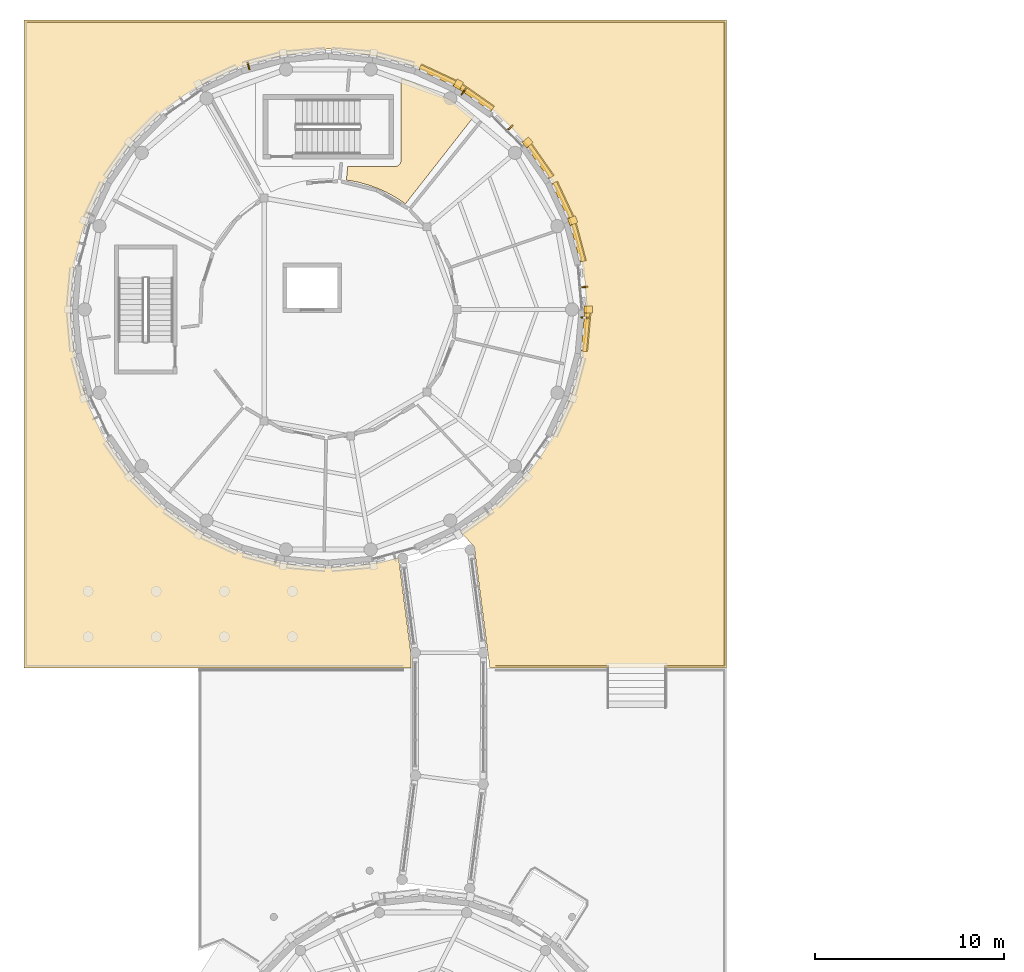
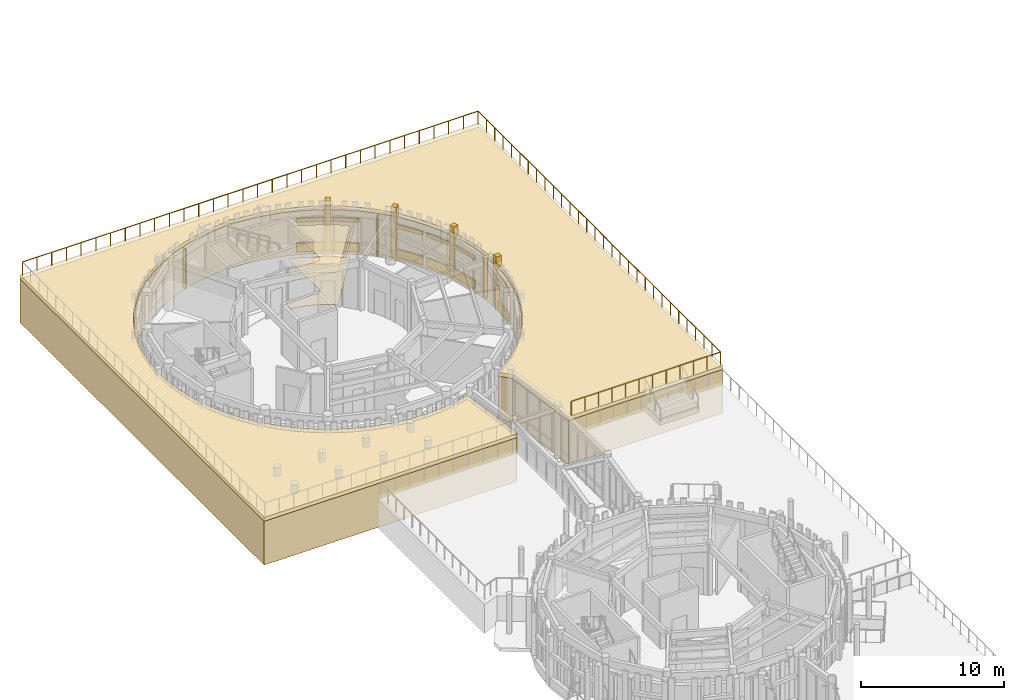
# One storey, part 85 of 94: 20 coverings, 5 shading devices, 1 railing.
"""IFC4 building model written with IfcOpenShell, lengths in metres."""

from ifc_helpers import new_model, si_unit, direction, frame, origin, origin_2d, place, context, subcontext, project, spatial, polyline, rectangle, circle, outline, extrude, material, layer, layer_set, type_object, element, save


model = new_model("IFC4")

# Units and contexts
model_context = context("Model", 3, precision=1e-05, world=origin(), true_north=direction((0.0, 1.0)))
body_context = subcontext(model_context, "Body", "Model", "MODEL_VIEW")
ifc_project = project(units=[si_unit("LENGTHUNIT", "METRE"), si_unit("AREAUNIT", "SQUARE_METRE"), si_unit("VOLUMEUNIT", "CUBIC_METRE"), si_unit("PLANEANGLEUNIT", "RADIAN"), si_unit("MASSUNIT", "GRAM", prefix="KILO")], contexts=[model_context])

# Site, building, storey
site_placement = place(None, origin())
site = spatial("IfcSite", under=ifc_project, at=site_placement, CompositionType="ELEMENT")
building_placement = place(site_placement, origin())
building = spatial("IfcBuilding", under=site, at=building_placement, Name="Aldenvaro Health Centre", CompositionType="ELEMENT")
storey_placement = place(building_placement, origin())
storey = spatial("IfcBuildingStorey", under=building, at=storey_placement, Name="L00", CompositionType="ELEMENT", Elevation=0.0)

# Coverings
ifc_material_1 = material(Name="Antimicrobial Mineral Fibre Ceiling")
ifc_layer_1 = layer(ifc_material_1, 0.01806640625, Name="Antimicrobial Mineral Fibre Ceiling")
ifc_layer_set_1 = layer_set([ifc_layer_1], Name="Antimicrobial Mineral Fibre Ceiling")
covering_type_1 = type_object("IfcCoveringType", Name="COV-CLG-ACT18", PredefinedType="CEILING", material=ifc_layer_set_1)
covering_1_placement = place(storey_placement, frame((0.0, 0.0, 2.75)))
element("IfcCovering", 1, at=covering_1_placement, inside=storey, type_object=covering_type_1, Name="D4-L00-R01 Suspended Ceiling", PredefinedType="CEILING", context=body_context, shape_type="SweptSolid", body=[
    extrude(outline(polyline([(22.3779296875, 105.218994140625), (22.364013671875, 105.22802734375), (21.967041015625, 105.47705078125), (21.952880859375, 105.485107421875), (21.5390625, 105.7060546875), (21.52392578125, 105.712890625), (21.095947265625, 105.904052734375), (21.0810546875, 105.909912109375), (20.639892578125, 106.070068359375), (20.6240234375, 106.074951171875), (20.174072265625, 106.2041015625), (20.157958984375, 106.2080078125), (19.698974609375, 106.304931640625), (19.68310546875, 106.30810546875), (19.447998046875, 106.340087890625), (19.52294921875, 107.06005859375), (22.02001953125, 107.06005859375), (22.031982421875, 107.06005859375), (22.0400390625, 107.06103515625), (22.06298828125, 107.06298828125), (22.071044921875, 107.06396484375), (22.093994140625, 107.069091796875), (22.10205078125, 107.071044921875), (22.1240234375, 107.076904296875), (22.131103515625, 107.080078125), (22.153076171875, 107.089111328125), (22.159912109375, 107.092041015625), (22.180908203125, 107.10400390625), (22.18798828125, 107.10791015625), (22.20703125, 107.12109375), (22.214111328125, 107.125), (22.23193359375, 107.139892578125), (22.238037109375, 107.14599609375), (22.25390625, 107.162109375), (22.260009765625, 107.16796875), (22.27490234375, 107.18603515625), (22.279052734375, 107.193115234375), (22.2919921875, 107.2119140625), (22.2958984375, 107.218994140625), (22.30810546875, 107.239990234375), (22.31103515625, 107.2470703125), (22.320068359375, 107.26904296875), (22.322998046875, 107.27587890625), (22.3291015625, 107.298095703125), (22.3310546875, 107.305908203125), (22.3359375, 107.3291015625), (22.3369140625, 107.3369140625), (22.339111328125, 107.360107421875), (22.340087890625, 107.367919921875), (22.340087890625, 107.3798828125), (22.340087890625, 111.69189453125), (22.884033203125, 111.5458984375), (24.908935546875, 110.60205078125), (26.194091796875, 109.701904296875), (22.570068359375, 105.0791015625), (22.3779296875, 105.218994140625)])), origin(), (0.0, 0.0, 1.0), 0.01806640625),
])
ifc_material_2 = material(Name="Honed Sonoran Buff Limestone", Category="masonry")
ifc_layer_2 = layer(ifc_material_2, 0.280029296875, Name="Honed Sonoran Buff Limestone", Category="masonry")
ifc_layer_set_2 = layer_set([ifc_layer_2], Name="Honed Sonoran Buff Limestone")
covering_type_2 = type_object("IfcCoveringType", Name="COV-CRN-STN", PredefinedType="CLADDING", material=ifc_layer_set_2)
covering_2_placement = place(storey_placement, frame((32.1220703125, 98.30810546875, 0.0), z_axis=(0.0, 0.0, 1.0), x_axis=(-0.087331575855, -0.996179299052, 0.0)))
element("IfcCovering", 2, at=covering_2_placement, inside=storey, type_object=covering_type_2, Name="D4 L00 Rusticated Limestone Plinth 1.1", PredefinedType="CLADDING", context=body_context, shape_type="SweptSolid", body=[
    extrude(rectangle(XDim=2.055908203125, YDim=0.340087890625, at=origin_2d()), origin(), (0.0, 0.0, 1.0), 0.719970703125),
])
covering_3_placement = place(storey_placement, frame((32.092041015625, 98.31103515625, 2.5498046875), z_axis=(0.0, 0.0, 1.0), x_axis=(-0.087331575855, -0.996179299052, 0.0)))
element("IfcCovering", 3, at=covering_3_placement, inside=storey, type_object=covering_type_2, Name="D4 L00 Rusticated Limestone Plinth 1.2", PredefinedType="CLADDING", context=body_context, shape_type="SweptSolid", body=[
    extrude(rectangle(XDim=2.055908203125, YDim=0.280029296875, at=origin_2d()), origin(), (0.0, 0.0, 1.0), 0.280029296875),
])
covering_4_placement = place(storey_placement, frame((32.239990234375, 99.5, -0.00048828125), z_axis=(0.0, 0.0, 1.0), x_axis=(1.0, 0.0, 0.0)))
element("IfcCovering", 4, at=covering_4_placement, inside=storey, type_object=covering_type_2, Name="D4 L00 Engaged Classical Limestone Pilaster 01", PredefinedType="CLADDING", context=body_context, shape_type="SweptSolid", body=[
    extrude(rectangle(XDim=0.43994140625, YDim=0.3798828125, at=origin_2d()), origin(), (0.0, 0.0, 1.0), 4.304931640625),
])
covering_5_placement = place(storey_placement, frame((24.279052734375, 111.89306640625, 0.0), z_axis=(0.0, 0.0, 1.0), x_axis=(0.90633620484, -0.422557314215, 0.0)))
element("IfcCovering", 5, at=covering_5_placement, inside=storey, type_object=covering_type_2, Name="D4 L00 Rusticated Limestone Plinth 30.1", PredefinedType="CLADDING", context=body_context, shape_type="SweptSolid", body=[
    extrude(rectangle(XDim=2.055908203125, YDim=0.340087890625, at=origin_2d()), origin(), (0.0, 0.0, 1.0), 0.719970703125),
])
covering_6_placement = place(storey_placement, frame((24.26611328125, 111.865966796875, 2.5498046875), z_axis=(0.0, 0.0, 1.0), x_axis=(0.90633620484, -0.422557314215, 0.0)))
element("IfcCovering", 6, at=covering_6_placement, inside=storey, type_object=covering_type_2, Name="D4 L00 Rusticated Limestone Plinth 30.2", PredefinedType="CLADDING", context=body_context, shape_type="SweptSolid", body=[
    extrude(rectangle(XDim=2.055908203125, YDim=0.280029296875, at=origin_2d()), origin(), (0.0, 0.0, 1.0), 0.280029296875),
])
covering_7_placement = place(storey_placement, frame((26.343017578125, 110.700927734375, 0.0), z_axis=(0.0, 0.0, 1.0), x_axis=(0.819050849853, -0.573720929857, 0.0)))
element("IfcCovering", 7, at=covering_7_placement, inside=storey, type_object=covering_type_2, Name="D4 L00 Rusticated Limestone Plinth 31.1", PredefinedType="CLADDING", context=body_context, shape_type="SweptSolid", body=[
    extrude(rectangle(XDim=2.055908203125, YDim=0.340087890625, at=origin_2d()), origin(), (0.0, 0.0, 1.0), 0.719970703125),
])
covering_8_placement = place(storey_placement, frame((26.325927734375, 110.677001953125, 2.5498046875), z_axis=(0.0, 0.0, 1.0), x_axis=(0.819050849853, -0.573720929857, 0.0)))
element("IfcCovering", 8, at=covering_8_placement, inside=storey, type_object=covering_type_2, Name="D4 L00 Rusticated Limestone Plinth 31.2", PredefinedType="CLADDING", context=body_context, shape_type="SweptSolid", body=[
    extrude(rectangle(XDim=2.055908203125, YDim=0.280029296875, at=origin_2d()), origin(), (0.0, 0.0, 1.0), 0.280029296875),
])
covering_9_placement = place(storey_placement, frame((25.3701171875, 111.39892578125, -0.00048828125), z_axis=(0.0, 0.0, 1.0), x_axis=(0.499991611653, 0.866030246745, 0.0)))
element("IfcCovering", 9, at=covering_9_placement, inside=storey, type_object=covering_type_2, Name="D4 L00 Engaged Classical Limestone Pilaster 16", PredefinedType="CLADDING", context=body_context, shape_type="SweptSolid", body=[
    extrude(rectangle(XDim=0.43994140625, YDim=0.3798828125, at=origin_2d()), origin(), (0.0, 0.0, 1.0), 4.304931640625),
])
covering_10_placement = place(storey_placement, frame((29.700927734375, 107.343017578125, 0.0), z_axis=(0.0, 0.0, 1.0), x_axis=(0.573720929857, -0.819050849853, 0.0)))
element("IfcCovering", 10, at=covering_10_placement, inside=storey, type_object=covering_type_2, Name="D4 L00 Rusticated Limestone Plinth 33.1", PredefinedType="CLADDING", context=body_context, shape_type="SweptSolid", body=[
    extrude(rectangle(XDim=2.055908203125, YDim=0.340087890625, at=origin_2d()), origin(), (0.0, 0.0, 1.0), 0.719970703125),
])
covering_11_placement = place(storey_placement, frame((29.677001953125, 107.325927734375, 2.5498046875), z_axis=(0.0, 0.0, 1.0), x_axis=(0.573720929857, -0.819050849853, 0.0)))
element("IfcCovering", 11, at=covering_11_placement, inside=storey, type_object=covering_type_2, Name="D4 L00 Rusticated Limestone Plinth 33.2", PredefinedType="CLADDING", context=body_context, shape_type="SweptSolid", body=[
    extrude(rectangle(XDim=2.055908203125, YDim=0.280029296875, at=origin_2d()), origin(), (0.0, 0.0, 1.0), 0.280029296875),
])
covering_12_placement = place(storey_placement, frame((29.02587890625, 108.33203125, -0.00048828125), z_axis=(0.0, 0.0, 1.0), x_axis=(0.766057587935, 0.642771943979, 0.0)))
element("IfcCovering", 12, at=covering_12_placement, inside=storey, type_object=covering_type_2, Name="D4 L00 Engaged Classical Limestone Pilaster 17", PredefinedType="CLADDING", context=body_context, shape_type="SweptSolid", body=[
    extrude(rectangle(XDim=0.43994140625, YDim=0.3798828125, at=origin_2d()), origin(), (0.0, 0.0, 1.0), 4.304931640625),
])
covering_13_placement = place(storey_placement, frame((30.89306640625, 105.279052734375, 0.0), z_axis=(0.0, 0.0, 1.0), x_axis=(0.422557314215, -0.90633620484, 0.0)))
element("IfcCovering", 13, at=covering_13_placement, inside=storey, type_object=covering_type_2, Name="D4 L00 Rusticated Limestone Plinth 34.1", PredefinedType="CLADDING", context=body_context, shape_type="SweptSolid", body=[
    extrude(rectangle(XDim=2.055908203125, YDim=0.340087890625, at=origin_2d()), origin(), (0.0, 0.0, 1.0), 0.719970703125),
])
covering_14_placement = place(storey_placement, frame((30.865966796875, 105.26611328125, 2.5498046875), z_axis=(0.0, 0.0, 1.0), x_axis=(0.422557314215, -0.90633620484, 0.0)))
element("IfcCovering", 14, at=covering_14_placement, inside=storey, type_object=covering_type_2, Name="D4 L00 Rusticated Limestone Plinth 34.2", PredefinedType="CLADDING", context=body_context, shape_type="SweptSolid", body=[
    extrude(rectangle(XDim=2.055908203125, YDim=0.280029296875, at=origin_2d()), origin(), (0.0, 0.0, 1.0), 0.280029296875),
])
covering_15_placement = place(storey_placement, frame((31.7080078125, 103.0390625, 0.0), z_axis=(0.0, 0.0, 1.0), x_axis=(0.258621935517, -0.965978620089, 0.0)))
element("IfcCovering", 15, at=covering_15_placement, inside=storey, type_object=covering_type_2, Name="D4 L00 Rusticated Limestone Plinth 35.1", PredefinedType="CLADDING", context=body_context, shape_type="SweptSolid", body=[
    extrude(rectangle(XDim=2.054931640625, YDim=0.340087890625, at=origin_2d()), origin(), (0.0, 0.0, 1.0), 0.719970703125),
])
covering_16_placement = place(storey_placement, frame((31.678955078125, 103.031005859375, 2.5498046875), z_axis=(0.0, 0.0, 1.0), x_axis=(0.258621935517, -0.965978620089, 0.0)))
element("IfcCovering", 16, at=covering_16_placement, inside=storey, type_object=covering_type_2, Name="D4 L00 Rusticated Limestone Plinth 35.2", PredefinedType="CLADDING", context=body_context, shape_type="SweptSolid", body=[
    extrude(rectangle(XDim=2.054931640625, YDim=0.280029296875, at=origin_2d()), origin(), (0.0, 0.0, 1.0), 0.280029296875),
])
covering_17_placement = place(storey_placement, frame((31.410888671875, 104.198974609375, -0.00048828125), z_axis=(0.0, 0.0, 1.0), x_axis=(0.939695335552, 0.342012684476, 0.0)))
element("IfcCovering", 17, at=covering_17_placement, inside=storey, type_object=covering_type_2, Name="D4 L00 Engaged Classical Limestone Pilaster 18", PredefinedType="CLADDING", context=body_context, shape_type="SweptSolid", body=[
    extrude(rectangle(XDim=0.43994140625, YDim=0.3798828125, at=origin_2d()), origin(), (0.0, 0.0, 1.0), 4.304931640625),
])
covering_18_placement = place(storey_placement, frame((0.0, 0.0, -0.320068359375)))
element("IfcCovering", 18, at=covering_18_placement, inside=storey, type_object=covering_type_2, Name="Upper North Foothill Acropolis Bastion Terrace Rusticated Foothill Stone Plinth 2", PredefinedType="CLADDING", context=body_context, shape_type="SweptSolid", body=[
    extrude(outline(polyline([(2.39990234375, 114.800048828125), (39.550048828125, 114.800048828125), (39.550048828125, 80.550048828125), (27.032958984375, 80.550048828125), (26.205078125, 86.97509765625), (25.489990234375, 87.722900390625), (27.153076171875, 88.9560546875), (28.14501953125, 89.85498046875), (29.0439453125, 90.846923828125), (29.841064453125, 91.922119140625), (30.529052734375, 93.070068359375), (31.10205078125, 94.280029296875), (31.552978515625, 95.541015625), (31.8779296875, 96.839111328125), (32.073974609375, 98.1630859375), (32.139892578125, 99.5), (32.073974609375, 100.8369140625), (31.8779296875, 102.160888671875), (31.552978515625, 103.458984375), (31.10205078125, 104.719970703125), (30.529052734375, 105.929931640625), (29.841064453125, 107.077880859375), (29.0439453125, 108.153076171875), (28.14501953125, 109.14501953125), (27.153076171875, 110.0439453125), (26.077880859375, 110.841064453125), (24.929931640625, 111.529052734375), (23.719970703125, 112.10205078125), (22.458984375, 112.552978515625), (21.160888671875, 112.8779296875), (18.5, 113.27294921875), (15.839111328125, 112.8779296875), (14.541015625, 112.552978515625), (13.280029296875, 112.10205078125), (12.070068359375, 111.529052734375), (10.922119140625, 110.841064453125), (9.846923828125, 110.0439453125), (8.85498046875, 109.14501953125), (7.9560546875, 108.153076171875), (7.158935546875, 107.077880859375), (6.470947265625, 105.929931640625), (5.89794921875, 104.719970703125), (5.447021484375, 103.458984375), (5.1220703125, 102.160888671875), (4.926025390625, 100.8369140625), (4.860107421875, 99.5), (4.926025390625, 98.1630859375), (5.1220703125, 96.839111328125), (5.447021484375, 95.541015625), (5.89794921875, 94.280029296875), (6.470947265625, 93.070068359375), (7.158935546875, 91.922119140625), (7.9560546875, 90.846923828125), (8.85498046875, 89.85498046875), (9.846923828125, 88.9560546875), (10.922119140625, 88.158935546875), (12.070068359375, 87.470947265625), (13.280029296875, 86.89794921875), (14.541015625, 86.447021484375), (15.839111328125, 86.1220703125), (17.1630859375, 85.926025390625), (18.5, 85.860107421875), (19.8369140625, 85.926025390625), (21.160888671875, 86.1220703125), (22.208984375, 86.385009765625), (22.873046875, 81.22509765625), (22.873046875, 80.550048828125), (2.39990234375, 80.550048828125), (2.39990234375, 114.800048828125)])), origin(), (0.0, 0.0, 1.0), 3.75),
])
ifc_material_3 = material(Name="Polished Epoxy Terrazzo Flooring")
ifc_layer_3 = layer(ifc_material_3, 0.02197265625, Name="Polished Epoxy Terrazzo Flooring")
ifc_layer_set_3 = layer_set([ifc_layer_3], Name="Polished Epoxy Terrazzo Flooring")
covering_type_3 = type_object("IfcCoveringType", Name="COV-FLR-TER22", PredefinedType="FLOORING", material=ifc_layer_set_3)
covering_19_placement = place(storey_placement, origin())
element("IfcCovering", 19, at=covering_19_placement, inside=storey, type_object=covering_type_3, Name="D4-L00-R01 Flooring", PredefinedType="FLOORING", context=body_context, shape_type="SweptSolid", body=[
    extrude(outline(polyline([(22.3779296875, 105.218994140625), (22.364013671875, 105.22802734375), (21.967041015625, 105.47705078125), (21.952880859375, 105.485107421875), (21.5390625, 105.7060546875), (21.52392578125, 105.712890625), (21.095947265625, 105.904052734375), (21.0810546875, 105.909912109375), (20.639892578125, 106.070068359375), (20.6240234375, 106.074951171875), (20.174072265625, 106.2041015625), (20.157958984375, 106.2080078125), (19.698974609375, 106.304931640625), (19.68310546875, 106.30810546875), (19.447998046875, 106.340087890625), (19.52294921875, 107.06005859375), (22.02001953125, 107.06005859375), (22.031982421875, 107.06005859375), (22.0400390625, 107.06103515625), (22.06298828125, 107.06298828125), (22.071044921875, 107.06396484375), (22.093994140625, 107.069091796875), (22.10205078125, 107.071044921875), (22.1240234375, 107.076904296875), (22.131103515625, 107.080078125), (22.153076171875, 107.089111328125), (22.159912109375, 107.092041015625), (22.180908203125, 107.10400390625), (22.18798828125, 107.10791015625), (22.20703125, 107.12109375), (22.214111328125, 107.125), (22.23193359375, 107.139892578125), (22.238037109375, 107.14599609375), (22.25390625, 107.162109375), (22.260009765625, 107.16796875), (22.27490234375, 107.18603515625), (22.279052734375, 107.193115234375), (22.2919921875, 107.2119140625), (22.2958984375, 107.218994140625), (22.30810546875, 107.239990234375), (22.31103515625, 107.2470703125), (22.320068359375, 107.26904296875), (22.322998046875, 107.27587890625), (22.3291015625, 107.298095703125), (22.3310546875, 107.305908203125), (22.3359375, 107.3291015625), (22.3369140625, 107.3369140625), (22.339111328125, 107.360107421875), (22.340087890625, 107.367919921875), (22.340087890625, 107.3798828125), (22.340087890625, 111.69189453125), (22.884033203125, 111.5458984375), (24.908935546875, 110.60205078125), (26.194091796875, 109.701904296875), (22.570068359375, 105.0791015625), (22.3779296875, 105.218994140625)])), origin(), (0.0, 0.0, 1.0), 0.02197265625),
])
ifc_material_4 = material(Name="Honed Sonoran Buff Travertine", Category="masonry")
ifc_layer_4 = layer(ifc_material_4, 0.320068359375, Name="Honed Sonoran Buff Travertine", Category="masonry")
ifc_layer_set_4 = layer_set([ifc_layer_4], Name="Honed Sonoran Buff Travertine")
covering_type_4 = type_object("IfcCoveringType", Name="COV-POD-320", PredefinedType="FLOORING", material=ifc_layer_set_4)
covering_20_placement = place(storey_placement, frame((0.0, 0.0, 3.429931640625)))
element("IfcCovering", 20, at=covering_20_placement, inside=storey, type_object=covering_type_4, Name="Upper North Foothill Acropolis Bastion Terrace Coping Deck 2", PredefinedType="FLOORING", context=body_context, shape_type="SweptSolid", body=[
    extrude(outline(polyline([(2.39990234375, 114.800048828125), (39.550048828125, 114.800048828125), (39.550048828125, 80.550048828125), (27.032958984375, 80.550048828125), (26.205078125, 86.97509765625), (25.489990234375, 87.722900390625), (27.153076171875, 88.9560546875), (28.14501953125, 89.85498046875), (29.0439453125, 90.846923828125), (29.841064453125, 91.922119140625), (30.529052734375, 93.070068359375), (31.10205078125, 94.280029296875), (31.552978515625, 95.541015625), (31.8779296875, 96.839111328125), (32.073974609375, 98.1630859375), (32.139892578125, 99.5), (32.073974609375, 100.8369140625), (31.8779296875, 102.160888671875), (31.552978515625, 103.458984375), (31.10205078125, 104.719970703125), (30.529052734375, 105.929931640625), (29.841064453125, 107.077880859375), (29.0439453125, 108.153076171875), (28.14501953125, 109.14501953125), (27.153076171875, 110.0439453125), (26.077880859375, 110.841064453125), (24.929931640625, 111.529052734375), (23.719970703125, 112.10205078125), (22.458984375, 112.552978515625), (21.160888671875, 112.8779296875), (18.5, 113.27294921875), (15.839111328125, 112.8779296875), (14.541015625, 112.552978515625), (13.280029296875, 112.10205078125), (12.070068359375, 111.529052734375), (10.922119140625, 110.841064453125), (9.846923828125, 110.0439453125), (8.85498046875, 109.14501953125), (7.9560546875, 108.153076171875), (7.158935546875, 107.077880859375), (6.470947265625, 105.929931640625), (5.89794921875, 104.719970703125), (5.447021484375, 103.458984375), (5.1220703125, 102.160888671875), (4.926025390625, 100.8369140625), (4.860107421875, 99.5), (4.926025390625, 98.1630859375), (5.1220703125, 96.839111328125), (5.447021484375, 95.541015625), (5.89794921875, 94.280029296875), (6.470947265625, 93.070068359375), (7.158935546875, 91.922119140625), (7.9560546875, 90.846923828125), (8.85498046875, 89.85498046875), (9.846923828125, 88.9560546875), (10.922119140625, 88.158935546875), (12.070068359375, 87.470947265625), (13.280029296875, 86.89794921875), (14.541015625, 86.447021484375), (15.839111328125, 86.1220703125), (17.1630859375, 85.926025390625), (18.5, 85.860107421875), (19.8369140625, 85.926025390625), (21.160888671875, 86.1220703125), (22.208984375, 86.385009765625), (22.873046875, 81.22509765625), (22.873046875, 80.550048828125), (2.39990234375, 80.550048828125), (2.39990234375, 114.800048828125)])), origin(), (0.0, 0.0, 1.0), 0.320068359375),
])

# Railing
ifc_material_5 = material(Name="Painted Architectural Steel", Category="steel")
railing_type = type_object("IfcRailingType", Name="RL-BAL-115", PredefinedType="GUARDRAIL", material=ifc_material_5)
railing_placement = place(storey_placement, frame((2.52001953125, 114.679931640625, 3.75)))
element("IfcRailing", 21, at=railing_placement, inside=storey, type_object=railing_type, Name="Upper North Foothill Acropolis Bastion Terrace Classical Balustrade 34", PredefinedType="GUARDRAIL", context=body_context, shape_type="SweptSolid", body=[
    extrude(circle(Radius=0.02392578125, at=origin_2d()), frame((0.0, 0.0, 1.1357421875), z_axis=(1.0, 0.0, 0.0), x_axis=(0.0, 1.0, 0.0)), (0.0, 0.0, 1.0), 36.909912109375),
    extrude(circle(Radius=0.02392578125, at=origin_2d()), frame((36.909912109375, 0.0, 1.1357421875), z_axis=(0.0, -1.0, 0.0), x_axis=(1.0, 0.0, 0.0)), (0.0, 0.0, 1.0), 34.010009765625),
    extrude(circle(Radius=0.02392578125, at=origin_2d()), frame((36.909912109375, -34.010009765625, 1.1357421875), z_axis=(-1.0, 0.0, 0.0), x_axis=(0.0, -1.0, 0.0)), (0.0, 0.0, 1.0), 12.0869140625),
    extrude(circle(Radius=0.02099609375, at=origin_2d()), origin(), (0.0, 0.0, 1.0), 1.11181640625),
    extrude(circle(Radius=0.02099609375, at=origin_2d()), frame((1.190673828125, 0.0, 0.0)), (0.0, 0.0, 1.0), 1.11181640625),
    extrude(circle(Radius=0.02099609375, at=origin_2d()), frame((2.38134765625, 0.0, 0.0)), (0.0, 0.0, 1.0), 1.11181640625),
    extrude(circle(Radius=0.02099609375, at=origin_2d()), frame((3.572021484375, 0.0, 0.0)), (0.0, 0.0, 1.0), 1.11181640625),
    extrude(circle(Radius=0.02099609375, at=origin_2d()), frame((4.762451171875, 0.0, 0.0)), (0.0, 0.0, 1.0), 1.11181640625),
    extrude(circle(Radius=0.02099609375, at=origin_2d()), frame((5.953125, 0.0, 0.0)), (0.0, 0.0, 1.0), 1.11181640625),
    extrude(circle(Radius=0.02099609375, at=origin_2d()), frame((7.143798828125, 0.0, 0.0)), (0.0, 0.0, 1.0), 1.11181640625),
    extrude(circle(Radius=0.02099609375, at=origin_2d()), frame((8.33447265625, 0.0, 0.0)), (0.0, 0.0, 1.0), 1.11181640625),
    extrude(circle(Radius=0.02099609375, at=origin_2d()), frame((9.525146484375, 0.0, 0.0)), (0.0, 0.0, 1.0), 1.11181640625),
    extrude(circle(Radius=0.02099609375, at=origin_2d()), frame((10.7158203125, 0.0, 0.0)), (0.0, 0.0, 1.0), 1.11181640625),
    extrude(circle(Radius=0.02099609375, at=origin_2d()), frame((11.906494140625, 0.0, 0.0)), (0.0, 0.0, 1.0), 1.11181640625),
    extrude(circle(Radius=0.02099609375, at=origin_2d()), frame((13.09716796875, 0.0, 0.0)), (0.0, 0.0, 1.0), 1.11181640625),
    extrude(circle(Radius=0.02099609375, at=origin_2d()), frame((14.28759765625, 0.0, 0.0)), (0.0, 0.0, 1.0), 1.11181640625),
    extrude(circle(Radius=0.02099609375, at=origin_2d()), frame((15.478271484375, 0.0, 0.0)), (0.0, 0.0, 1.0), 1.11181640625),
    extrude(circle(Radius=0.02099609375, at=origin_2d()), frame((16.6689453125, 0.0, 0.0)), (0.0, 0.0, 1.0), 1.11181640625),
    extrude(circle(Radius=0.02099609375, at=origin_2d()), frame((17.859619140625, 0.0, 0.0)), (0.0, 0.0, 1.0), 1.11181640625),
    extrude(circle(Radius=0.02099609375, at=origin_2d()), frame((19.05029296875, 0.0, 0.0)), (0.0, 0.0, 1.0), 1.11181640625),
    extrude(circle(Radius=0.02099609375, at=origin_2d()), frame((20.240966796875, 0.0, 0.0)), (0.0, 0.0, 1.0), 1.11181640625),
    extrude(circle(Radius=0.02099609375, at=origin_2d()), frame((21.431640625, 0.0, 0.0)), (0.0, 0.0, 1.0), 1.11181640625),
    extrude(circle(Radius=0.02099609375, at=origin_2d()), frame((22.622314453125, 0.0, 0.0)), (0.0, 0.0, 1.0), 1.11181640625),
    extrude(circle(Radius=0.02099609375, at=origin_2d()), frame((23.812744140625, 0.0, 0.0)), (0.0, 0.0, 1.0), 1.11181640625),
    extrude(circle(Radius=0.02099609375, at=origin_2d()), frame((25.00341796875, 0.0, 0.0)), (0.0, 0.0, 1.0), 1.11181640625),
    extrude(circle(Radius=0.02099609375, at=origin_2d()), frame((26.194091796875, 0.0, 0.0)), (0.0, 0.0, 1.0), 1.11181640625),
    extrude(circle(Radius=0.02099609375, at=origin_2d()), frame((27.384765625, 0.0, 0.0)), (0.0, 0.0, 1.0), 1.11181640625),
    extrude(circle(Radius=0.02099609375, at=origin_2d()), frame((28.575439453125, 0.0, 0.0)), (0.0, 0.0, 1.0), 1.11181640625),
    extrude(circle(Radius=0.02099609375, at=origin_2d()), frame((29.76611328125, 0.0, 0.0)), (0.0, 0.0, 1.0), 1.11181640625),
    extrude(circle(Radius=0.02099609375, at=origin_2d()), frame((30.956787109375, 0.0, 0.0)), (0.0, 0.0, 1.0), 1.11181640625),
    extrude(circle(Radius=0.02099609375, at=origin_2d()), frame((32.1474609375, 0.0, 0.0)), (0.0, 0.0, 1.0), 1.11181640625),
    extrude(circle(Radius=0.02099609375, at=origin_2d()), frame((33.337890625, 0.0, 0.0)), (0.0, 0.0, 1.0), 1.11181640625),
    extrude(circle(Radius=0.02099609375, at=origin_2d()), frame((34.528564453125, 0.0, 0.0)), (0.0, 0.0, 1.0), 1.11181640625),
    extrude(circle(Radius=0.02099609375, at=origin_2d()), frame((35.71923828125, 0.0, 0.0)), (0.0, 0.0, 1.0), 1.11181640625),
    extrude(circle(Radius=0.02099609375, at=origin_2d()), frame((36.909912109375, 0.0, 0.0)), (0.0, 0.0, 1.0), 1.11181640625),
    extrude(circle(Radius=0.02099609375, at=origin_2d()), frame((36.909912109375, -1.1728515625, 0.0)), (0.0, 0.0, 1.0), 1.11181640625),
    extrude(circle(Radius=0.02099609375, at=origin_2d()), frame((36.909912109375, -2.345458984375, 0.0)), (0.0, 0.0, 1.0), 1.11181640625),
    extrude(circle(Radius=0.02099609375, at=origin_2d()), frame((36.909912109375, -3.518310546875, 0.0)), (0.0, 0.0, 1.0), 1.11181640625),
    extrude(circle(Radius=0.02099609375, at=origin_2d()), frame((36.909912109375, -4.69091796875, 0.0)), (0.0, 0.0, 1.0), 1.11181640625),
    extrude(circle(Radius=0.02099609375, at=origin_2d()), frame((36.909912109375, -5.86376953125, 0.0)), (0.0, 0.0, 1.0), 1.11181640625),
    extrude(circle(Radius=0.02099609375, at=origin_2d()), frame((36.909912109375, -7.03662109375, 0.0)), (0.0, 0.0, 1.0), 1.11181640625),
    extrude(circle(Radius=0.02099609375, at=origin_2d()), frame((36.909912109375, -8.209228515625, 0.0)), (0.0, 0.0, 1.0), 1.11181640625),
    extrude(circle(Radius=0.02099609375, at=origin_2d()), frame((36.909912109375, -9.382080078125, 0.0)), (0.0, 0.0, 1.0), 1.11181640625),
    extrude(circle(Radius=0.02099609375, at=origin_2d()), frame((36.909912109375, -10.554931640625, 0.0)), (0.0, 0.0, 1.0), 1.11181640625),
    extrude(circle(Radius=0.02099609375, at=origin_2d()), frame((36.909912109375, -11.7275390625, 0.0)), (0.0, 0.0, 1.0), 1.11181640625),
    extrude(circle(Radius=0.02099609375, at=origin_2d()), frame((36.909912109375, -12.900390625, 0.0)), (0.0, 0.0, 1.0), 1.11181640625),
    extrude(circle(Radius=0.02099609375, at=origin_2d()), frame((36.909912109375, -14.072998046875, 0.0)), (0.0, 0.0, 1.0), 1.11181640625),
    extrude(circle(Radius=0.02099609375, at=origin_2d()), frame((36.909912109375, -15.245849609375, 0.0)), (0.0, 0.0, 1.0), 1.11181640625),
    extrude(circle(Radius=0.02099609375, at=origin_2d()), frame((36.909912109375, -16.418701171875, 0.0)), (0.0, 0.0, 1.0), 1.11181640625),
    extrude(circle(Radius=0.02099609375, at=origin_2d()), frame((36.909912109375, -17.59130859375, 0.0)), (0.0, 0.0, 1.0), 1.11181640625),
    extrude(circle(Radius=0.02099609375, at=origin_2d()), frame((36.909912109375, -18.76416015625, 0.0)), (0.0, 0.0, 1.0), 1.11181640625),
    extrude(circle(Radius=0.02099609375, at=origin_2d()), frame((36.909912109375, -19.93701171875, 0.0)), (0.0, 0.0, 1.0), 1.11181640625),
    extrude(circle(Radius=0.02099609375, at=origin_2d()), frame((36.909912109375, -21.109619140625, 0.0)), (0.0, 0.0, 1.0), 1.11181640625),
    extrude(circle(Radius=0.02099609375, at=origin_2d()), frame((36.909912109375, -22.282470703125, 0.0)), (0.0, 0.0, 1.0), 1.11181640625),
    extrude(circle(Radius=0.02099609375, at=origin_2d()), frame((36.909912109375, -23.455078125, 0.0)), (0.0, 0.0, 1.0), 1.11181640625),
    extrude(circle(Radius=0.02099609375, at=origin_2d()), frame((36.909912109375, -24.6279296875, 0.0)), (0.0, 0.0, 1.0), 1.11181640625),
    extrude(circle(Radius=0.02099609375, at=origin_2d()), frame((36.909912109375, -25.80078125, 0.0)), (0.0, 0.0, 1.0), 1.11181640625),
    extrude(circle(Radius=0.02099609375, at=origin_2d()), frame((36.909912109375, -26.973388671875, 0.0)), (0.0, 0.0, 1.0), 1.11181640625),
    extrude(circle(Radius=0.02099609375, at=origin_2d()), frame((36.909912109375, -28.146240234375, 0.0)), (0.0, 0.0, 1.0), 1.11181640625),
    extrude(circle(Radius=0.02099609375, at=origin_2d()), frame((36.909912109375, -29.319091796875, 0.0)), (0.0, 0.0, 1.0), 1.11181640625),
    extrude(circle(Radius=0.02099609375, at=origin_2d()), frame((36.909912109375, -30.49169921875, 0.0)), (0.0, 0.0, 1.0), 1.11181640625),
    extrude(circle(Radius=0.02099609375, at=origin_2d()), frame((36.909912109375, -31.66455078125, 0.0)), (0.0, 0.0, 1.0), 1.11181640625),
    extrude(circle(Radius=0.02099609375, at=origin_2d()), frame((36.909912109375, -32.837158203125, 0.0)), (0.0, 0.0, 1.0), 1.11181640625),
    extrude(circle(Radius=0.02099609375, at=origin_2d()), frame((36.909912109375, -34.010009765625, 0.0)), (0.0, 0.0, 1.0), 1.11181640625),
    extrude(circle(Radius=0.02099609375, at=origin_2d()), frame((35.81103515625, -34.010009765625, 0.0)), (0.0, 0.0, 1.0), 1.11181640625),
    extrude(circle(Radius=0.02099609375, at=origin_2d()), frame((34.71240234375, -34.010009765625, 0.0)), (0.0, 0.0, 1.0), 1.11181640625),
    extrude(circle(Radius=0.02099609375, at=origin_2d()), frame((33.613525390625, -34.010009765625, 0.0)), (0.0, 0.0, 1.0), 1.11181640625),
    extrude(circle(Radius=0.02099609375, at=origin_2d()), frame((32.5146484375, -34.010009765625, 0.0)), (0.0, 0.0, 1.0), 1.11181640625),
    extrude(circle(Radius=0.02099609375, at=origin_2d()), frame((31.415771484375, -34.010009765625, 0.0)), (0.0, 0.0, 1.0), 1.11181640625),
    extrude(circle(Radius=0.02099609375, at=origin_2d()), frame((30.317138671875, -34.010009765625, 0.0)), (0.0, 0.0, 1.0), 1.11181640625),
    extrude(circle(Radius=0.02099609375, at=origin_2d()), frame((29.21826171875, -34.010009765625, 0.0)), (0.0, 0.0, 1.0), 1.11181640625),
    extrude(circle(Radius=0.02099609375, at=origin_2d()), frame((28.119384765625, -34.010009765625, 0.0)), (0.0, 0.0, 1.0), 1.11181640625),
    extrude(circle(Radius=0.02099609375, at=origin_2d()), frame((27.0205078125, -34.010009765625, 0.0)), (0.0, 0.0, 1.0), 1.11181640625),
    extrude(circle(Radius=0.02099609375, at=origin_2d()), frame((25.921875, -34.010009765625, 0.0)), (0.0, 0.0, 1.0), 1.11181640625),
    extrude(circle(Radius=0.02099609375, at=origin_2d()), frame((24.822998046875, -34.010009765625, 0.0)), (0.0, 0.0, 1.0), 1.11181640625),
])

# Shading devices
ifc_material_6 = material(Name="Douglas Fir Exterior Glulam GL28h", Category="wood")
shading_device_type_1 = type_object("IfcShadingDeviceType", Name="SHD-FIN-205", PredefinedType="USERDEFINED", material=ifc_material_6)
for number, where, z_axis, x_axis, name in (
    (22, (32.0380859375, 99.06591796875, -0.02001953125), (0.0, 0.0, 1.0), (-0.087331575855, -0.996179299052, 0.0), "D4 L00 Douglas fir fin 1.1"),
    (23, (25.64404296875, 111.007080078125, -0.02001953125), (0.0, 0.0, 1.0), (0.819050849853, -0.573720929857, 0.0), "D4 L00 Douglas fir fin 31.1"),
):
    element("IfcShadingDevice", number, at=place(storey_placement, frame(where, z_axis=z_axis, x_axis=x_axis)), inside=storey, type_object=shading_device_type_1, Name=name, ObjectType="FIN", PredefinedType="USERDEFINED", context=body_context, shape_type="SweptSolid", body=[
        extrude(rectangle(XDim=0.06494140625, YDim=0.419921875, at=origin_2d()), origin(), (0.0, 0.0, 1.0), 2.050048828125),
    ])
shading_device_type_2 = type_object("IfcShadingDeviceType", Name="SHD-FIN-340", PredefinedType="USERDEFINED", material=ifc_material_6)
for number, where, z_axis, x_axis, name in (
    (24, (14.277099609375, 112.3701171875, -0.02001953125), (0.0, 0.0, 1.0), (0.965978620089, 0.258621935517, 0.0), "D4 L00 Douglas fir fin 26.1"),
    (25, (28.0869140625, 109.0869140625, -0.02001953125), (0.0, 0.0, 1.0), (0.707106781187, -0.707106781187, 0.0), "D4 L00 vertical timber fin 32.0"),
):
    element("IfcShadingDevice", number, at=place(storey_placement, frame(where, z_axis=z_axis, x_axis=x_axis)), inside=storey, type_object=shading_device_type_2, Name=name, ObjectType="FIN", PredefinedType="USERDEFINED", context=body_context, shape_type="SweptSolid", body=[
        extrude(rectangle(XDim=0.074951171875, YDim=0.419921875, at=origin_2d()), origin(), (0.0, 0.0, 1.0), 3.39990234375),
    ])
shading_device_type_3 = type_object("IfcShadingDeviceType", Name="SHD-FIN-400", PredefinedType="USERDEFINED", material=ifc_material_6)
shading_device_placement = place(storey_placement, frame((32.007080078125, 100.681884765625, -0.0205078125), z_axis=(0.0, 0.0, 1.0), x_axis=(0.087331575855, -0.996179299052, 0.0)))
element("IfcShadingDevice", 26, at=shading_device_placement, inside=storey, type_object=shading_device_type_3, Name="D4 L00 vertical timber fin 36.0", ObjectType="FIN", PredefinedType="USERDEFINED", context=body_context, shape_type="SweptSolid", body=[
    extrude(rectangle(XDim=0.06494140625, YDim=0.419921875, at=origin_2d()), origin(), (0.0, 0.0, 1.0), 3.698974609375),
])

save(model, "model.ifc")
